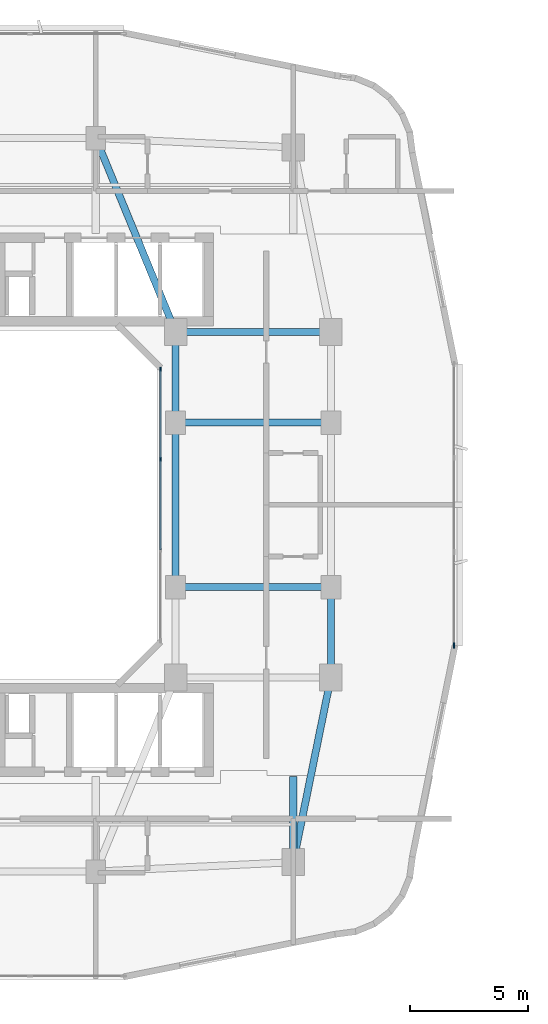
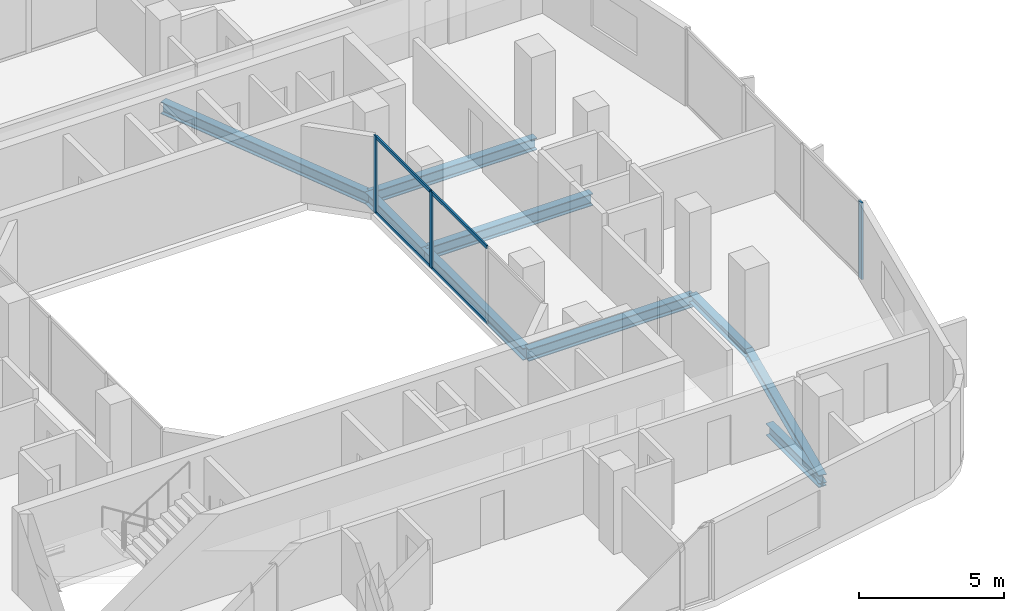
# One storey, part 4 of 26: 9 beams, 7 members, 2 elements without a shape of their own.
"""IFC4 building model written with IfcOpenShell, lengths in metres."""

import ifcopenshell
import ifcopenshell.guid

model = None  # the IFC model being written
_history = None  # IfcOwnerHistory: only IFC2X3 demands one
_inside = {}  # id of a spatial element -> (the spatial element, [elements in it])
_under = {}  # id of a project, library or spatial element -> (it, [spatial elements below it])
_declared = {}  # id of a project -> (the project, [libraries it declares])
_typed = {}  # id of a type object -> (the type object, [elements of that type])
_made_of = {}  # id of a material, layer set ... -> (it, [elements and type objects made of it])


def new_model(schema):
    """Start an empty IFC model of exactly this schema.

    Asked for "IFC4X3", IfcOpenShell would pick the latest addendum, in which some entities
    have other attributes; the version numbers below select the first issue.
    IFC2X3 requires an IfcOwnerHistory on every rooted entity: one is made here for all.
    """
    global model, _history
    if schema == "IFC4X3":
        model = ifcopenshell.file(schema_version=(4, 3, 0, 0))
    else:
        model = ifcopenshell.file(schema=schema)
    _inside.clear()
    _under.clear()
    _declared.clear()
    _typed.clear()
    _made_of.clear()
    _history = None
    if model.schema == "IFC2X3":
        org = make("IfcOrganization", Name="unknown")
        user = make(
            "IfcPersonAndOrganization",
            ThePerson=make("IfcPerson", FamilyName="unknown"),
            TheOrganization=org,
        )
        app = make(
            "IfcApplication",
            ApplicationDeveloper=org,
            Version="unknown",
            ApplicationFullName="unknown",
            ApplicationIdentifier="unknown",
        )
        _history = make(
            "IfcOwnerHistory",
            OwningUser=user,
            OwningApplication=app,
            ChangeAction="ADDED",
            CreationDate=0,
        )
    return model


def make(cls, **values):
    """One entity of the class cls with the attributes given. An attribute that is None is left unset."""
    return model.create_entity(
        cls, **{name: value for name, value in values.items() if value is not None}
    )


def rooted(cls, **values):
    """An entity with a GlobalId (a new one), such as an element, a storey or a relation."""
    return make(cls, GlobalId=ifcopenshell.guid.new(), OwnerHistory=_history, **values)


def si_unit(unit_type, name, prefix=None):
    """IfcSIUnit, for example si_unit("LENGTHUNIT", "METRE", prefix="MILLI")."""
    return make("IfcSIUnit", UnitType=unit_type, Prefix=prefix, Name=name)


def derived_unit(unit_type, elements):
    """IfcDerivedUnit: a product of units, each with its exponent."""
    return make(
        "IfcDerivedUnit",
        Elements=[
            make("IfcDerivedUnitElement", Unit=unit, Exponent=power)
            for unit, power in elements
        ],
        UnitType=unit_type,
    )


def assignment(units):
    """IfcUnitAssignment: the units of a project."""
    return None if units is None else make("IfcUnitAssignment", Units=units)


def point(xyz):
    """IfcCartesianPoint."""
    return None if xyz is None else make("IfcCartesianPoint", Coordinates=xyz)


def direction(xyz):
    """IfcDirection."""
    return None if xyz is None else make("IfcDirection", DirectionRatios=xyz)


def frame(location, z_axis=None, x_axis=None):
    """IfcAxis2Placement3D, a coordinate frame: its origin and axes. An axis left out is left unset."""
    return make(
        "IfcAxis2Placement3D",
        Location=point(location),
        Axis=direction(z_axis),
        RefDirection=direction(x_axis),
    )


def frame_2d(location, x_axis=None):
    """IfcAxis2Placement2D, a coordinate frame in the plane: its origin and x axis."""
    return make(
        "IfcAxis2Placement2D", Location=point(location), RefDirection=direction(x_axis)
    )


def origin():
    """The frame at (0, 0, 0) with its axes left unset."""
    return frame((0.0, 0.0, 0.0))


def origin_2d():
    """The frame at (0, 0) in the plane with its x axis left unset."""
    return frame_2d((0.0, 0.0))


def place(relative_to, where):
    """IfcLocalPlacement: puts the frame where relative to a parent placement (None: the world)."""
    return make(
        "IfcLocalPlacement", PlacementRelTo=relative_to, RelativePlacement=where
    )


def context(
    kind, dimensions, precision=None, world=None, true_north=None, identifier=None
):
    """IfcGeometricRepresentationContext, for example the 3D "Model" context."""
    return make(
        "IfcGeometricRepresentationContext",
        ContextIdentifier=identifier,
        ContextType=kind,
        CoordinateSpaceDimension=dimensions,
        Precision=precision,
        WorldCoordinateSystem=world,
        TrueNorth=true_north,
    )


def subcontext(parent, identifier, kind, view, scale=None):
    """IfcGeometricRepresentationSubContext, for example "Body" below "Model"."""
    return make(
        "IfcGeometricRepresentationSubContext",
        ContextIdentifier=identifier,
        ContextType=kind,
        ParentContext=parent,
        TargetScale=scale,
        TargetView=view,
    )


def project(units=None, contexts=None):
    """IfcProject with its units and contexts."""
    return rooted(
        "IfcProject",
        Name="project",
        RepresentationContexts=contexts,
        UnitsInContext=assignment(units),
    )


def spatial(cls, under=None, at=None, **own):
    """A site, building, storey or space (cls), placed at a placement, below another one or the project."""
    s = rooted(cls, ObjectPlacement=at, **own)
    if under is not None:
        _under.setdefault(under.id(), (under, []))[1].append(s)
    return s


def profile(cls, at=None, kind="AREA", **sizes):
    """A parametric profile (cls). Its sizes go by their IFC names, for example OverallWidth=200.0."""
    return make(cls, ProfileType=kind, Position=at, **sizes)


def rectangle(**sizes):
    """IfcRectangleProfileDef."""
    return profile("IfcRectangleProfileDef", **sizes)


def i_section(**sizes):
    """IfcIShapeProfileDef."""
    return profile("IfcIShapeProfileDef", **sizes)


def extrude(swept, where, along, depth):
    """IfcExtrudedAreaSolid: the profile swept, set in the frame where, extruded along a direction by depth."""
    return make(
        "IfcExtrudedAreaSolid",
        SweptArea=swept,
        Position=where,
        ExtrudedDirection=direction(along),
        Depth=depth,
    )


def shape(context_of_items, identifier, shape_type, items):
    """IfcShapeRepresentation: the items that make up one representation, for example the "Body"."""
    return make(
        "IfcShapeRepresentation",
        ContextOfItems=context_of_items,
        RepresentationIdentifier=identifier,
        RepresentationType=shape_type,
        Items=items,
    )


def material(Name=None, Category=None):
    """IfcMaterial."""
    return make("IfcMaterial", Name=Name, Category=Category)


def layer(
    of_material, thickness, ventilated=None, Name=None, Category=None, Priority=None
):
    """IfcMaterialLayer: one layer of a wall or slab, of a material (None: an air gap)."""
    return make(
        "IfcMaterialLayer",
        Material=of_material,
        LayerThickness=thickness,
        IsVentilated=ventilated,
        Name=Name,
        Category=Category,
        Priority=Priority,
    )


def layer_set(layers, Name=None):
    """IfcMaterialLayerSet."""
    return make("IfcMaterialLayerSet", MaterialLayers=layers, LayerSetName=Name)


def material_profile(
    of_material, cross_section, Name=None, Category=None, Priority=None
):
    """IfcMaterialProfile: a cross section and its material."""
    return make(
        "IfcMaterialProfile",
        Name=Name,
        Material=of_material,
        Profile=cross_section,
        Priority=Priority,
        Category=Category,
    )


def profile_set(profiles, Name=None, composite=None):
    """IfcMaterialProfileSet."""
    return make(
        "IfcMaterialProfileSet",
        Name=Name,
        MaterialProfiles=profiles,
        CompositeProfile=composite,
    )


def made_of(thing, what):
    """Note that an element or type object is made of a material, layer set ...; save() writes the relation."""
    if what is not None:
        _made_of.setdefault(what.id(), (what, []))[1].append(thing)
    return thing


def type_object(cls, material=None, **own):
    """A type object (cls), such as IfcWallType, which elements share."""
    return made_of(rooted(cls, **own), material)


def element(
    cls,
    number,
    at=None,
    inside=None,
    cuts=None,
    type_object=None,
    material=None,
    context=None,
    identifier="Body",
    shape_type=None,
    held_by="IfcProductDefinitionShape",
    body=None,
    shapes=None,
    **own,
):
    """One element of the class cls, such as IfcWall. Its Tag is "e" and its number.

    at: its placement. inside: the storey or other place that contains it. cuts: it is an
    opening in that element (IfcRelVoidsElement). A single representation is given by context,
    identifier, shape_type and body (its items); several are given by shapes. held_by: the class
    of the entity that holds the representations. save() writes the other relations.
    """
    e = rooted(cls, Tag="e%d" % number, ObjectPlacement=at, **own)
    if body is not None:
        shapes = [shape(context, identifier, shape_type, body)]
    if shapes is not None:
        e.Representation = make(held_by, Representations=shapes)
    if inside is not None:
        _inside.setdefault(inside.id(), (inside, []))[1].append(e)
    if cuts is not None:
        rooted(
            "IfcRelVoidsElement", RelatingBuildingElement=cuts, RelatedOpeningElement=e
        )
    if type_object is not None:
        _typed.setdefault(type_object.id(), (type_object, []))[1].append(e)
    return made_of(e, material)


def aggregate(whole, parts):
    """IfcRelAggregates: a whole, such as a stair, and the parts it consists of."""
    return rooted("IfcRelAggregates", RelatingObject=whole, RelatedObjects=parts)


def save(model, path):
    """Write the relations noted so far, then the file.

    IfcRelAggregates (storeys below a building ...), IfcRelContainedInSpatialStructure (elements
    in a storey), IfcRelDefinesByType, IfcRelAssociatesMaterial and IfcRelDeclares: one each for
    every whole, place, type object, material and project.
    """
    for whole, parts in _under.values():
        aggregate(whole, parts)
    for where, things in _inside.values():
        rooted(
            "IfcRelContainedInSpatialStructure",
            RelatedElements=things,
            RelatingStructure=where,
        )
    for kind, things in _typed.values():
        rooted("IfcRelDefinesByType", RelatedObjects=things, RelatingType=kind)
    for what, things in _made_of.values():
        rooted("IfcRelAssociatesMaterial", RelatedObjects=things, RelatingMaterial=what)
    for by, libraries in _declared.values():
        rooted("IfcRelDeclares", RelatingContext=by, RelatedDefinitions=libraries)
    model.write(path)


model = new_model("IFC4")

# Units and contexts
model_context = context("Model", 3, precision=1e-05, world=origin(), true_north=direction((0.0, 1.0)))
body_context = subcontext(model_context, "Body", "Model", "MODEL_VIEW")
ifc_project = project(units=[si_unit("LENGTHUNIT", "METRE"), si_unit("AREAUNIT", "SQUARE_METRE"), si_unit("VOLUMEUNIT", "CUBIC_METRE"), si_unit("PLANEANGLEUNIT", "RADIAN"), si_unit("MASSUNIT", "GRAM", prefix="KILO"), derived_unit("THERMALTRANSMITTANCEUNIT", [(si_unit("POWERUNIT", "WATT"), 1), (si_unit("LENGTHUNIT", "METRE"), -2), (si_unit("THERMODYNAMICTEMPERATUREUNIT", "KELVIN"), -1)])], contexts=[model_context])

# Site, building, storey
site_placement = place(None, origin())
site = spatial("IfcSite", under=ifc_project, at=site_placement, CompositionType="ELEMENT")
building_placement = place(site_placement, origin())
building = spatial("IfcBuilding", under=site, at=building_placement, Name="Kivonza Crest Hotel", CompositionType="ELEMENT")
storey_placement = place(building_placement, frame((0.0, 0.0, 127.5)))
storey = spatial("IfcBuildingStorey", under=building, at=storey_placement, Name="L34", CompositionType="ELEMENT", Elevation=127.5)

# Beams
ifc_material_1 = material(Name="Steel S355", Category="steel")
ifc_material_profile_1 = material_profile(ifc_material_1, i_section(OverallWidth=0.300048828125, OverallDepth=0.360107421875, WebThickness=0.012451171875, FlangeThickness=0.0224609375, FilletRadius=0.027099609375, at=origin_2d()), Name="HEB 360")
ifc_profile_set_1 = profile_set([ifc_material_profile_1], Name="Steel S355")
beam_type_1 = type_object("IfcBeamType", Name="BM-HEB360", PredefinedType="SPANDREL", material=ifc_profile_set_1)
beam_1_placement = place(storey_placement, frame((34.199951171875, 9.800048828125, -0.4599609375), z_axis=(0.199730733965, 0.979850822273, 0.0), x_axis=(-0.979850822273, 0.199730733965, 0.0)))
element("IfcBeam", 1, at=beam_1_placement, inside=storey, type_object=beam_type_1, Name="Tower T1 L34 perimeter spandrel SE-PSE", PredefinedType="SPANDREL", context=body_context, shape_type="SweptSolid", body=[
    extrude(i_section(OverallWidth=0.300048828125, OverallDepth=0.360107421875, WebThickness=0.012451171875, FlangeThickness=0.0224609375, FilletRadius=0.027099609375, at=origin_2d()), origin(), (0.0, 0.0, 1.0), 8.01123046875),
])
beam_2_placement = place(storey_placement, frame((35.800048828125, 17.64990234375, -0.4599609375), z_axis=(0.0, 1.0, 0.0), x_axis=(-1.0, 0.0, 0.0)))
element("IfcBeam", 2, at=beam_2_placement, inside=storey, type_object=beam_type_1, Name="Tower T1 L34 perimeter spandrel PSE-E1", PredefinedType="SPANDREL", context=body_context, shape_type="SweptSolid", body=[
    extrude(i_section(OverallWidth=0.300048828125, OverallDepth=0.360107421875, WebThickness=0.012451171875, FlangeThickness=0.0224609375, FilletRadius=0.027099609375, at=origin_2d()), origin(), (0.0, 0.0, 1.0), 3.85009765625),
])
ifc_material_profile_2 = material_profile(ifc_material_1, i_section(OverallWidth=0.300048828125, OverallDepth=0.5, WebThickness=0.014404296875, FlangeThickness=0.028076171875, FilletRadius=0.027099609375, at=origin_2d()), Name="HEB 500")
ifc_profile_set_2 = profile_set([ifc_material_profile_2], Name="Steel S355")
beam_type_2 = type_object("IfcBeamType", Name="BM-HEB500", PredefinedType="BEAM", material=ifc_profile_set_2)
beam_3_placement = place(storey_placement, frame((25.800048828125, 40.60009765625, -0.530029296875), z_axis=(0.381022260404, -0.924565864109, 0.0), x_axis=(0.924565864109, 0.381022260404, 0.0)))
element("IfcBeam", 3, at=beam_3_placement, inside=storey, type_object=beam_type_2, Name="Tower T1 L34 primary girder N1-TNE", PredefinedType="BEAM", context=body_context, shape_type="SweptSolid", body=[
    extrude(i_section(OverallWidth=0.300048828125, OverallDepth=0.5, WebThickness=0.014404296875, FlangeThickness=0.028076171875, FilletRadius=0.027099609375, at=origin_2d()), origin(), (0.0, 0.0, 1.0), 8.923095703125),
])
beam_4_placement = place(storey_placement, frame((29.199951171875, 32.35009765625, -0.530029296875), z_axis=(1.0, 0.0, 0.0), x_axis=(0.0, 1.0, 0.0)))
element("IfcBeam", 4, at=beam_4_placement, inside=storey, type_object=beam_type_2, Name="Tower T1 L34 primary girder TNE-PNE", PredefinedType="BEAM", context=body_context, shape_type="SweptSolid", body=[
    extrude(i_section(OverallWidth=0.300048828125, OverallDepth=0.5, WebThickness=0.014404296875, FlangeThickness=0.028076171875, FilletRadius=0.027099609375, at=origin_2d()), origin(), (0.0, 0.0, 1.0), 6.60009765625),
])
beam_5_placement = place(storey_placement, frame((29.199951171875, 21.5, -0.530029296875), z_axis=(0.0, 1.0, 0.0), x_axis=(-1.0, 0.0, 0.0)))
element("IfcBeam", 5, at=beam_5_placement, inside=storey, type_object=beam_type_2, Name="Tower T1 L34 primary girder WR1-WR2", PredefinedType="BEAM", context=body_context, shape_type="SweptSolid", body=[
    extrude(i_section(OverallWidth=0.300048828125, OverallDepth=0.5, WebThickness=0.014404296875, FlangeThickness=0.028076171875, FilletRadius=0.027099609375, at=origin_2d()), origin(), (0.0, 0.0, 1.0), 7.0),
])
beam_6_placement = place(storey_placement, frame((29.199951171875, 28.5, -0.530029296875), z_axis=(0.0, 1.0, 0.0), x_axis=(-1.0, 0.0, 0.0)))
element("IfcBeam", 6, at=beam_6_placement, inside=storey, type_object=beam_type_2, Name="Tower T1 L34 primary girder WR2-TNE", PredefinedType="BEAM", context=body_context, shape_type="SweptSolid", body=[
    extrude(i_section(OverallWidth=0.300048828125, OverallDepth=0.5, WebThickness=0.014404296875, FlangeThickness=0.028076171875, FilletRadius=0.027099609375, at=origin_2d()), origin(), (0.0, 0.0, 1.0), 3.85009765625),
])
for number, where, z_axis, x_axis, name in (
    (7, (29.199951171875, 21.5, -0.530029296875), (1.0, 0.0, 0.0), (0.0, 1.0, 0.0), "Tower T1 L34 primary girder WR1-E1"),
    (8, (29.199951171875, 28.5, -0.530029296875), (1.0, 0.0, 0.0), (0.0, 1.0, 0.0), "Tower T1 L34 primary girder WR2-E2"),
):
    element("IfcBeam", number, at=place(storey_placement, frame(where, z_axis=z_axis, x_axis=x_axis)), inside=storey, type_object=beam_type_2, Name=name, PredefinedType="BEAM", context=body_context, shape_type="SweptSolid", body=[
        extrude(i_section(OverallWidth=0.300048828125, OverallDepth=0.5, WebThickness=0.014404296875, FlangeThickness=0.028076171875, FilletRadius=0.027099609375, at=origin_2d()), origin(), (0.0, 0.0, 1.0), 6.60009765625),
    ])
beam_7_placement = place(storey_placement, frame((34.199951171875, 9.800048828125, -0.530029296875), z_axis=(0.0, 1.0, 0.0), x_axis=(-1.0, 0.0, 0.0)))
element("IfcBeam", 9, at=beam_7_placement, inside=storey, type_object=beam_type_2, Name="Tower T1 L34 radial core girder RSE", PredefinedType="BEAM", context=body_context, shape_type="SweptSolid", body=[
    extrude(i_section(OverallWidth=0.300048828125, OverallDepth=0.5, WebThickness=0.014404296875, FlangeThickness=0.028076171875, FilletRadius=0.027099609375, at=origin_2d()), origin(), (0.0, 0.0, 1.0), 3.64990234375),
])

# Curtain wall, members
ifc_material_2 = material(Name="Anodised bronze aluminium and low-E double glazing", Category="aluminium")
ifc_layer_1 = layer(ifc_material_2, 0.159912109375)
ifc_layer_set_1 = layer_set([ifc_layer_1], Name="Anodised bronze aluminium and low-E double glazing")
curtain_wall_type_1 = type_object("IfcCurtainWallType", Name="CW-SYS-5", PredefinedType="NOTDEFINED", material=ifc_layer_set_1)
curtain_wall_1_placement = place(storey_placement, origin())
curtain_wall_1 = element("IfcCurtainWall", 10, at=curtain_wall_1_placement, inside=storey, type_object=curtain_wall_type_1, Name="L34 unitised curtain wall CW-WELL-T1-L34-3", PredefinedType="NOTDEFINED")
ifc_material_3 = material(Name="Anodised bronze aluminium", Category="aluminium")
ifc_material_profile_3 = material_profile(ifc_material_3, rectangle(XDim=0.06494140625, YDim=0.179931640625, at=origin_2d()), Name="CW-M 65x180")
ifc_profile_set_3 = profile_set([ifc_material_profile_3], Name="Anodised bronze aluminium")
member_type_1 = type_object("IfcMemberType", Name="CW-MUL-65x180", PredefinedType="MULLION", material=ifc_profile_set_3)
member_1_placement = place(storey_placement, frame((28.56005859375, 26.933349609375, 0.0), z_axis=(0.0, 0.0, 1.0), x_axis=(-1.0, 0.0, 0.0)))
member_1 = element("IfcMember", 11, at=member_1_placement, type_object=member_type_1, Name="CW-5 mullion 3", PredefinedType="MULLION", context=body_context, shape_type="SweptSolid", body=[
    extrude(rectangle(XDim=0.06494140625, YDim=0.179931640625, at=origin_2d()), origin(), (0.0, 0.0, 1.0), 3.219970703125),
])
member_2_placement = place(storey_placement, frame((28.56005859375, 30.767578125, 0.0), z_axis=(0.0, 0.0, 1.0), x_axis=(-1.0, 0.0, 0.0)))
member_2 = element("IfcMember", 12, at=member_2_placement, type_object=member_type_1, Name="CW-5 mullion 4", PredefinedType="MULLION", context=body_context, shape_type="SweptSolid", body=[
    extrude(rectangle(XDim=0.06494140625, YDim=0.179931640625, at=origin_2d()), origin(), (0.0, 0.0, 1.0), 3.219970703125),
])

# Curtain wall, member
ifc_layer_2 = layer(ifc_material_2, 0.179931640625)
ifc_layer_set_2 = layer_set([ifc_layer_2], Name="Anodised bronze aluminium and low-E double glazing")
curtain_wall_type_2 = type_object("IfcCurtainWallType", Name="CW-SYS-3", PredefinedType="NOTDEFINED", material=ifc_layer_set_2)
curtain_wall_2_placement = place(storey_placement, origin())
curtain_wall_2 = element("IfcCurtainWall", 13, at=curtain_wall_2_placement, inside=storey, type_object=curtain_wall_type_2, Name="L34 unitised curtain wall CW-T1-L34-17", PredefinedType="NOTDEFINED")
ifc_material_profile_4 = material_profile(ifc_material_3, rectangle(XDim=0.074951171875, YDim=0.219970703125, at=origin_2d()), Name="CW-M 75x220")
ifc_profile_set_4 = profile_set([ifc_material_profile_4], Name="Anodised bronze aluminium")
member_type_2 = type_object("IfcMemberType", Name="CW-MUL-75x220", PredefinedType="MULLION", material=ifc_profile_set_4)
member_3_placement = place(storey_placement, frame((41.0400390625, 19.017578125, 0.0), z_axis=(0.0, 0.0, 1.0), x_axis=(-1.0, 0.0, 0.0)))
member_3 = element("IfcMember", 14, at=member_3_placement, type_object=member_type_2, Name="CW-3 mullion 1", PredefinedType="MULLION", context=body_context, shape_type="SweptSolid", body=[
    extrude(rectangle(XDim=0.074951171875, YDim=0.219970703125, at=origin_2d()), origin(), (0.0, 0.0, 1.0), 3.219970703125),
])
aggregate(curtain_wall_2, [member_3])

# Member
ifc_material_profile_5 = material_profile(ifc_material_3, rectangle(XDim=0.06494140625, YDim=0.139892578125, at=origin_2d()), Name="CW-T 65x140")
ifc_profile_set_5 = profile_set([ifc_material_profile_5], Name="Anodised bronze aluminium")
member_type_3 = type_object("IfcMemberType", Name="CW-TRN-65x140", PredefinedType="USERDEFINED", material=ifc_profile_set_5)
member_4_placement = place(storey_placement, frame((28.56005859375, 23.09912109375, 0.032470703125), z_axis=(0.0, 1.0, 0.0), x_axis=(-1.0, 0.0, 0.0)))
member_4 = element("IfcMember", 15, at=member_4_placement, type_object=member_type_3, Name="CW-5 transom 2.1", ObjectType="TRANSOM", PredefinedType="USERDEFINED", context=body_context, shape_type="SweptSolid", body=[
    extrude(rectangle(XDim=0.06494140625, YDim=0.139892578125, at=origin_2d()), origin(), (0.0, 0.0, 1.0), 3.8017578125),
])

member_5_placement = place(storey_placement, frame((28.56005859375, 23.09912109375, 3.1875), z_axis=(0.0, 1.0, 0.0), x_axis=(-1.0, 0.0, 0.0)))
member_5 = element("IfcMember", 16, at=member_5_placement, type_object=member_type_3, Name="CW-5 transom 2.2", ObjectType="TRANSOM", PredefinedType="USERDEFINED", context=body_context, shape_type="SweptSolid", body=[
    extrude(rectangle(XDim=0.06494140625, YDim=0.139892578125, at=origin_2d()), origin(), (0.0, 0.0, 1.0), 3.8017578125),
])

member_6_placement = place(storey_placement, frame((28.56005859375, 26.9658203125, 0.032470703125), z_axis=(0.0, 1.0, 0.0), x_axis=(-1.0, 0.0, 0.0)))
member_6 = element("IfcMember", 17, at=member_6_placement, type_object=member_type_3, Name="CW-5 transom 3.1", ObjectType="TRANSOM", PredefinedType="USERDEFINED", context=body_context, shape_type="SweptSolid", body=[
    extrude(rectangle(XDim=0.06494140625, YDim=0.139892578125, at=origin_2d()), origin(), (0.0, 0.0, 1.0), 3.769287109375),
])

member_7_placement = place(storey_placement, frame((28.56005859375, 26.9658203125, 3.1875), z_axis=(0.0, 1.0, 0.0), x_axis=(-1.0, 0.0, 0.0)))
member_7 = element("IfcMember", 18, at=member_7_placement, type_object=member_type_3, Name="CW-5 transom 3.2", ObjectType="TRANSOM", PredefinedType="USERDEFINED", context=body_context, shape_type="SweptSolid", body=[
    extrude(rectangle(XDim=0.06494140625, YDim=0.139892578125, at=origin_2d()), origin(), (0.0, 0.0, 1.0), 3.769287109375),
])

aggregate(curtain_wall_1, [member_1, member_2, member_4, member_5, member_6, member_7])

save(model, "model.ifc")
